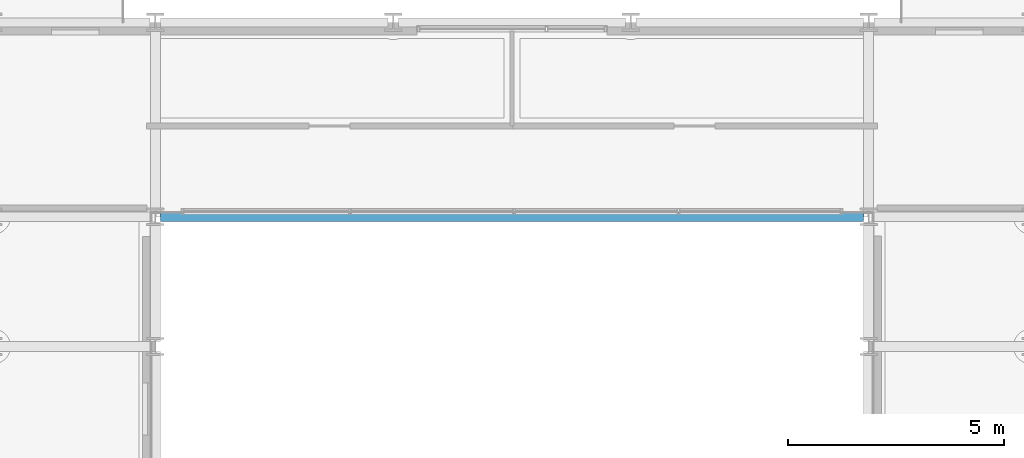
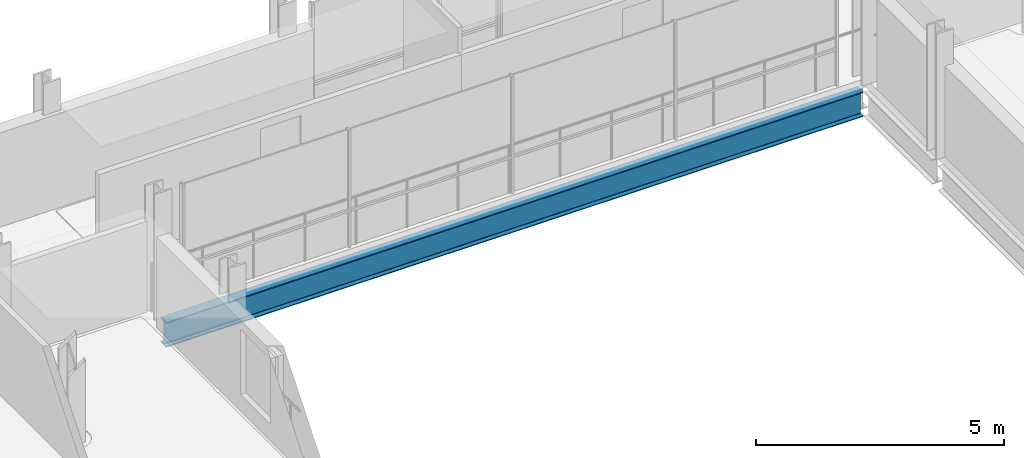
# One storey, part 12 of 41: 1 beam.
"""IFC4 building model written with IfcOpenShell, lengths in metres."""

from ifc_helpers import new_model, si_unit, direction, frame, origin, origin_2d, place, context, subcontext, project, spatial, i_section, extrude, material, material_profile, profile_set, type_object, element, save


model = new_model("IFC4")

# Units and contexts
model_context = context("Model", 3, precision=1e-05, world=origin(), true_north=direction((0.0, 1.0)))
body_context = subcontext(model_context, "Body", "Model", "MODEL_VIEW")
ifc_project = project(units=[si_unit("LENGTHUNIT", "METRE"), si_unit("AREAUNIT", "SQUARE_METRE"), si_unit("VOLUMEUNIT", "CUBIC_METRE"), si_unit("PLANEANGLEUNIT", "RADIAN"), si_unit("MASSUNIT", "GRAM", prefix="KILO")], contexts=[model_context])

# Site, building, storey
site_placement = place(None, origin())
site = spatial("IfcSite", under=ifc_project, at=site_placement, CompositionType="ELEMENT")
building_placement = place(site_placement, origin())
building = spatial("IfcBuilding", under=site, at=building_placement, Name="Brevholm Reach", CompositionType="ELEMENT")
storey_placement = place(building_placement, frame((0.0, 0.0, 163.5)))
storey = spatial("IfcBuildingStorey", under=building, at=storey_placement, Name="L49", CompositionType="ELEMENT", Elevation=163.5)

# Beam
ifc_material = material(Name="Structural Steel S355J2", Category="steel")
ifc_material_profile = material_profile(ifc_material, i_section(OverallWidth=0.22900390625, OverallDepth=0.6123046875, WebThickness=0.011962890625, FlangeThickness=0.01953125, FilletRadius=0.0126953125, at=origin_2d()), Name="UKB 610x229x125")
ifc_profile_set = profile_set([ifc_material_profile], Name="Structural Steel S355J2")
beam_type = type_object("IfcBeamType", Name="BM-SP610", PredefinedType="SPANDREL", material=ifc_profile_set)
beam_placement = place(storey_placement, frame((21.8701171875, 26.5, -0.526123046875), z_axis=(1.0, 0.0, 0.0), x_axis=(0.0, 1.0, 0.0)))
element("IfcBeam", 1, at=beam_placement, inside=storey, type_object=beam_type, Name="L49 SP-01 Framing Beam", PredefinedType="SPANDREL", context=body_context, shape_type="SweptSolid", body=[
    extrude(i_section(OverallWidth=0.22900390625, OverallDepth=0.6123046875, WebThickness=0.011962890625, FlangeThickness=0.01953125, FilletRadius=0.0126953125, at=origin_2d()), origin(), (0.0, 0.0, 1.0), 16.259765625),
])

save(model, "model.ifc")
